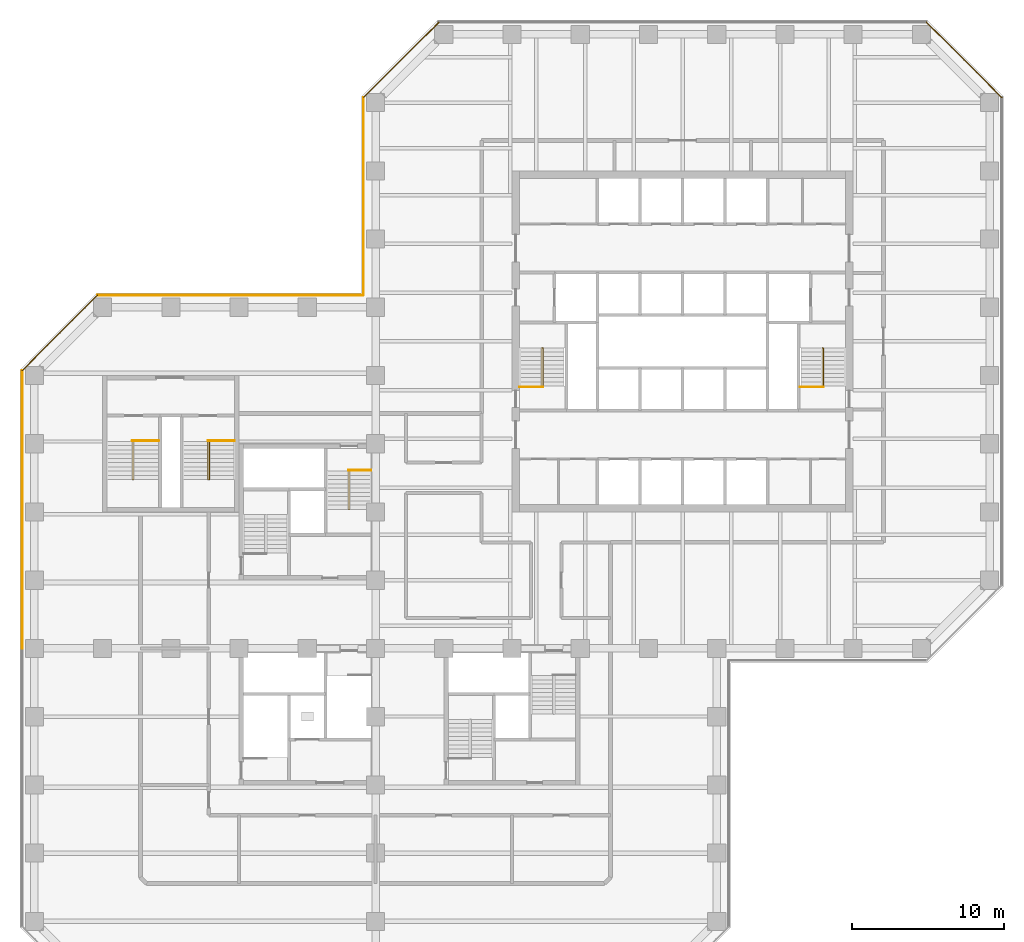
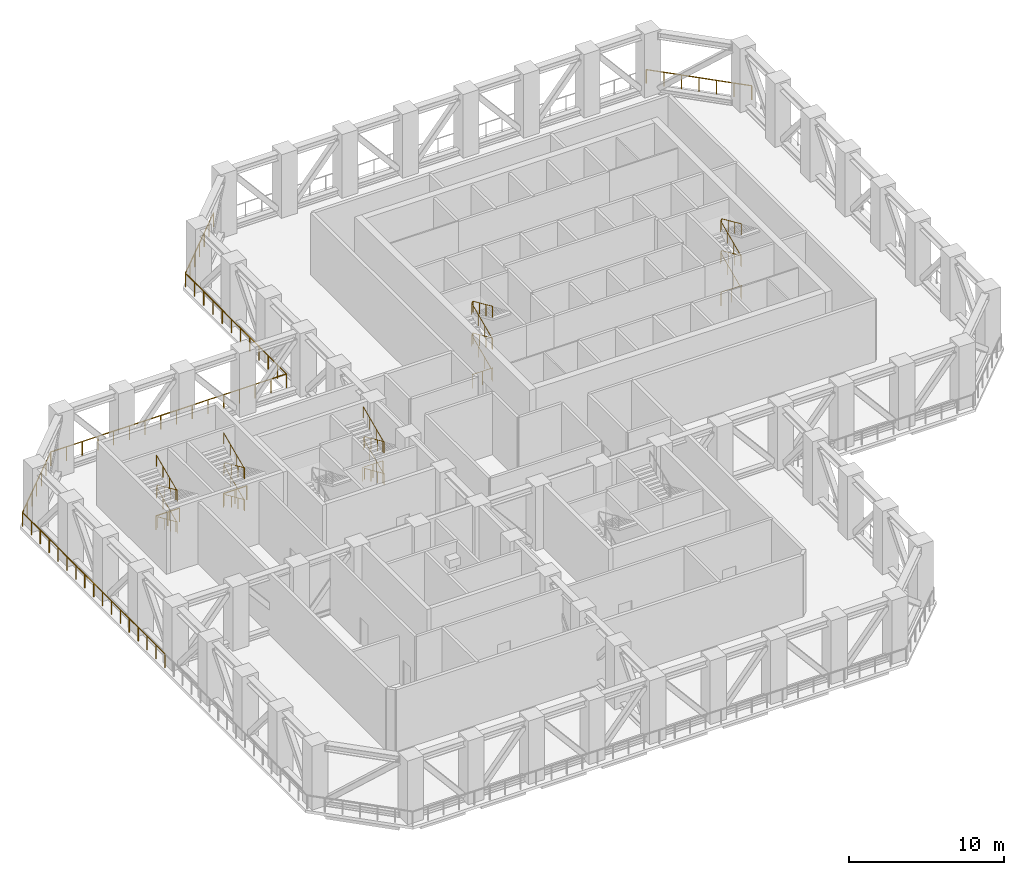
# One storey, part 15 of 16: 16 railings.
"""IFC4 building model written with IfcOpenShell, lengths in metres."""

from ifc_helpers import new_model, si_unit, direction, frame, origin, origin_2d, place, context, subcontext, project, spatial, circle, extrude, material, type_object, element, save


model = new_model("IFC4")

# Units and contexts
model_context = context("Model", 3, precision=1e-05, world=origin(), true_north=direction((0.0, 1.0)))
body_context = subcontext(model_context, "Body", "Model", "MODEL_VIEW")
ifc_project = project(units=[si_unit("LENGTHUNIT", "METRE"), si_unit("AREAUNIT", "SQUARE_METRE"), si_unit("VOLUMEUNIT", "CUBIC_METRE"), si_unit("PLANEANGLEUNIT", "RADIAN"), si_unit("MASSUNIT", "GRAM", prefix="KILO")], contexts=[model_context])

# Site, building, storey
site_placement = place(None, origin())
site = spatial("IfcSite", under=ifc_project, at=site_placement, CompositionType="ELEMENT")
building_placement = place(site_placement, origin())
building = spatial("IfcBuilding", under=site, at=building_placement, Name="Quoin Convention Tower", CompositionType="ELEMENT")
storey_placement = place(building_placement, frame((0.0, 0.0, 69.300048828125)))
storey = spatial("IfcBuildingStorey", under=building, at=storey_placement, Name="L18", CompositionType="ELEMENT", Elevation=69.300048828125)

# Railings
ifc_material = material(Name="Stainless steel", Category="steel")
railing_type_1 = type_object("IfcRailingType", Name="Guard 1100", PredefinedType="GUARDRAIL", material=ifc_material)
railing_1_placement = place(storey_placement, frame((77.300048828125, 76.831298828125, 0.0)))
element("IfcRailing", 1, at=railing_1_placement, inside=storey, type_object=railing_type_1, Name="grd-L18-76500_76500", PredefinedType="GUARDRAIL", context=body_context, shape_type="SweptSolid", body=[
    extrude(circle(Radius=0.02392578125, at=origin_2d()), frame((0.0, 0.0, 1.076171875), z_axis=(-0.707106781187, 0.707106781187, 0.0), x_axis=(-0.707106781187, -0.707106781187, 0.0)), (0.0, 0.0, 1.0), 7.02685546875),
    extrude(circle(Radius=0.02099609375, at=origin_2d()), origin(), (0.0, 0.0, 1.0), 1.052001953125),
    extrude(circle(Radius=0.02099609375, at=origin_2d()), frame((-0.828125, 0.828125, 0.0)), (0.0, 0.0, 1.0), 1.052001953125),
    extrude(circle(Radius=0.02099609375, at=origin_2d()), frame((-1.65625, 1.65625, 0.0)), (0.0, 0.0, 1.0), 1.052001953125),
    extrude(circle(Radius=0.02099609375, at=origin_2d()), frame((-2.484375, 2.484375, 0.0)), (0.0, 0.0, 1.0), 1.052001953125),
    extrude(circle(Radius=0.02099609375, at=origin_2d()), frame((-3.3125, 3.3125, 0.0)), (0.0, 0.0, 1.0), 1.052001953125),
    extrude(circle(Radius=0.02099609375, at=origin_2d()), frame((-4.140625, 4.140625, 0.0)), (0.0, 0.0, 1.0), 1.052001953125),
    extrude(circle(Radius=0.02099609375, at=origin_2d()), frame((-4.96875, 4.96875, 0.0)), (0.0, 0.0, 1.0), 1.052001953125),
])
railing_2_placement = place(storey_placement, frame((40.168701171875, 81.800048828125, 0.0)))
element("IfcRailing", 2, at=railing_2_placement, inside=storey, type_object=railing_type_1, Name="grd-L18-40500_81000", PredefinedType="GUARDRAIL", context=body_context, shape_type="SweptSolid", body=[
    extrude(circle(Radius=0.02392578125, at=origin_2d()), frame((0.0, 0.0, 1.076171875), z_axis=(-0.707106781187, -0.707106781187, 0.0), x_axis=(0.707106781187, -0.707106781187, 0.0)), (0.0, 0.0, 1.0), 7.02685546875),
    extrude(circle(Radius=0.02099609375, at=origin_2d()), origin(), (0.0, 0.0, 1.0), 1.052001953125),
    extrude(circle(Radius=0.02099609375, at=origin_2d()), frame((-0.828125, -0.828125, 0.0)), (0.0, 0.0, 1.0), 1.052001953125),
    extrude(circle(Radius=0.02099609375, at=origin_2d()), frame((-1.65625, -1.65625, 0.0)), (0.0, 0.0, 1.0), 1.052001953125),
    extrude(circle(Radius=0.02099609375, at=origin_2d()), frame((-2.484375, -2.484375, 0.0)), (0.0, 0.0, 1.0), 1.052001953125),
    extrude(circle(Radius=0.02099609375, at=origin_2d()), frame((-3.3125, -3.3125, 0.0)), (0.0, 0.0, 1.0), 1.052001953125),
    extrude(circle(Radius=0.02099609375, at=origin_2d()), frame((-4.140625, -4.140625, 0.0)), (0.0, 0.0, 1.0), 1.052001953125),
    extrude(circle(Radius=0.02099609375, at=origin_2d()), frame((-4.96875, -4.96875, 0.0)), (0.0, 0.0, 1.0), 1.052001953125),
])
railing_3_placement = place(storey_placement, frame((35.199951171875, 76.831298828125, 0.0)))
element("IfcRailing", 3, at=railing_3_placement, inside=storey, type_object=railing_type_1, Name="grd-L18-36000_76500", PredefinedType="GUARDRAIL", context=body_context, shape_type="SweptSolid", body=[
    extrude(circle(Radius=0.02392578125, at=origin_2d()), frame((0.0, 0.0, 1.076171875), z_axis=(0.0, -1.0, 0.0), x_axis=(1.0, 0.0, 0.0)), (0.0, 0.0, 1.0), 13.03125),
    extrude(circle(Radius=0.02099609375, at=origin_2d()), origin(), (0.0, 0.0, 1.0), 1.052001953125),
    extrude(circle(Radius=0.02099609375, at=origin_2d()), frame((0.0, -1.1845703125, 0.0)), (0.0, 0.0, 1.0), 1.052001953125),
    extrude(circle(Radius=0.02099609375, at=origin_2d()), frame((0.0, -2.369384765625, 0.0)), (0.0, 0.0, 1.0), 1.052001953125),
    extrude(circle(Radius=0.02099609375, at=origin_2d()), frame((0.0, -3.553955078125, 0.0)), (0.0, 0.0, 1.0), 1.052001953125),
    extrude(circle(Radius=0.02099609375, at=origin_2d()), frame((0.0, -4.738525390625, 0.0)), (0.0, 0.0, 1.0), 1.052001953125),
    extrude(circle(Radius=0.02099609375, at=origin_2d()), frame((0.0, -5.92333984375, 0.0)), (0.0, 0.0, 1.0), 1.052001953125),
    extrude(circle(Radius=0.02099609375, at=origin_2d()), frame((0.0, -7.10791015625, 0.0)), (0.0, 0.0, 1.0), 1.052001953125),
    extrude(circle(Radius=0.02099609375, at=origin_2d()), frame((0.0, -8.292724609375, 0.0)), (0.0, 0.0, 1.0), 1.052001953125),
    extrude(circle(Radius=0.02099609375, at=origin_2d()), frame((0.0, -9.477294921875, 0.0)), (0.0, 0.0, 1.0), 1.052001953125),
    extrude(circle(Radius=0.02099609375, at=origin_2d()), frame((0.0, -10.661865234375, 0.0)), (0.0, 0.0, 1.0), 1.052001953125),
    extrude(circle(Radius=0.02099609375, at=origin_2d()), frame((0.0, -11.8466796875, 0.0)), (0.0, 0.0, 1.0), 1.052001953125),
    extrude(circle(Radius=0.02099609375, at=origin_2d()), frame((0.0, -13.03125, 0.0)), (0.0, 0.0, 1.0), 1.052001953125),
])
railing_4_placement = place(storey_placement, frame((35.199951171875, 63.800048828125, 0.0)))
element("IfcRailing", 4, at=railing_4_placement, inside=storey, type_object=railing_type_1, Name="grd-L18-36000_63000", PredefinedType="GUARDRAIL", context=body_context, shape_type="SweptSolid", body=[
    extrude(circle(Radius=0.02392578125, at=origin_2d()), frame((0.0, 0.0, 1.076171875), z_axis=(-1.0, 0.0, 0.0), x_axis=(0.0, -1.0, 0.0)), (0.0, 0.0, 1.0), 17.53125),
    extrude(circle(Radius=0.02099609375, at=origin_2d()), origin(), (0.0, 0.0, 1.0), 1.052001953125),
    extrude(circle(Radius=0.02099609375, at=origin_2d()), frame((-1.168701171875, 0.0, 0.0)), (0.0, 0.0, 1.0), 1.052001953125),
    extrude(circle(Radius=0.02099609375, at=origin_2d()), frame((-2.33740234375, 0.0, 0.0)), (0.0, 0.0, 1.0), 1.052001953125),
    extrude(circle(Radius=0.02099609375, at=origin_2d()), frame((-3.50634765625, 0.0, 0.0)), (0.0, 0.0, 1.0), 1.052001953125),
    extrude(circle(Radius=0.02099609375, at=origin_2d()), frame((-4.675048828125, 0.0, 0.0)), (0.0, 0.0, 1.0), 1.052001953125),
    extrude(circle(Radius=0.02099609375, at=origin_2d()), frame((-5.84375, 0.0, 0.0)), (0.0, 0.0, 1.0), 1.052001953125),
    extrude(circle(Radius=0.02099609375, at=origin_2d()), frame((-7.012451171875, 0.0, 0.0)), (0.0, 0.0, 1.0), 1.052001953125),
    extrude(circle(Radius=0.02099609375, at=origin_2d()), frame((-8.18115234375, 0.0, 0.0)), (0.0, 0.0, 1.0), 1.052001953125),
    extrude(circle(Radius=0.02099609375, at=origin_2d()), frame((-9.35009765625, 0.0, 0.0)), (0.0, 0.0, 1.0), 1.052001953125),
    extrude(circle(Radius=0.02099609375, at=origin_2d()), frame((-10.518798828125, 0.0, 0.0)), (0.0, 0.0, 1.0), 1.052001953125),
    extrude(circle(Radius=0.02099609375, at=origin_2d()), frame((-11.6875, 0.0, 0.0)), (0.0, 0.0, 1.0), 1.052001953125),
    extrude(circle(Radius=0.02099609375, at=origin_2d()), frame((-12.856201171875, 0.0, 0.0)), (0.0, 0.0, 1.0), 1.052001953125),
    extrude(circle(Radius=0.02099609375, at=origin_2d()), frame((-14.02490234375, 0.0, 0.0)), (0.0, 0.0, 1.0), 1.052001953125),
    extrude(circle(Radius=0.02099609375, at=origin_2d()), frame((-15.19384765625, 0.0, 0.0)), (0.0, 0.0, 1.0), 1.052001953125),
    extrude(circle(Radius=0.02099609375, at=origin_2d()), frame((-16.362548828125, 0.0, 0.0)), (0.0, 0.0, 1.0), 1.052001953125),
    extrude(circle(Radius=0.02099609375, at=origin_2d()), frame((-17.53125, 0.0, 0.0)), (0.0, 0.0, 1.0), 1.052001953125),
])
railing_5_placement = place(storey_placement, frame((17.668701171875, 63.800048828125, 0.0)))
element("IfcRailing", 5, at=railing_5_placement, inside=storey, type_object=railing_type_1, Name="grd-L18-18000_63000", PredefinedType="GUARDRAIL", context=body_context, shape_type="SweptSolid", body=[
    extrude(circle(Radius=0.02392578125, at=origin_2d()), frame((0.0, 0.0, 1.076171875), z_axis=(-0.707106781187, -0.707106781187, 0.0), x_axis=(0.707106781187, -0.707106781187, 0.0)), (0.0, 0.0, 1.0), 7.02685546875),
    extrude(circle(Radius=0.02099609375, at=origin_2d()), origin(), (0.0, 0.0, 1.0), 1.052001953125),
    extrude(circle(Radius=0.02099609375, at=origin_2d()), frame((-0.828125, -0.828125, 0.0)), (0.0, 0.0, 1.0), 1.052001953125),
    extrude(circle(Radius=0.02099609375, at=origin_2d()), frame((-1.65625, -1.65625, 0.0)), (0.0, 0.0, 1.0), 1.052001953125),
    extrude(circle(Radius=0.02099609375, at=origin_2d()), frame((-2.484375, -2.484375, 0.0)), (0.0, 0.0, 1.0), 1.052001953125),
    extrude(circle(Radius=0.02099609375, at=origin_2d()), frame((-3.3125, -3.3125, 0.0)), (0.0, 0.0, 1.0), 1.052001953125),
    extrude(circle(Radius=0.02099609375, at=origin_2d()), frame((-4.140625, -4.140625, 0.0)), (0.0, 0.0, 1.0), 1.052001953125),
    extrude(circle(Radius=0.02099609375, at=origin_2d()), frame((-4.96875, -4.96875, 0.0)), (0.0, 0.0, 1.0), 1.052001953125),
])
railing_6_placement = place(storey_placement, frame((12.699951171875, 58.831298828125, 0.0)))
element("IfcRailing", 6, at=railing_6_placement, inside=storey, type_object=railing_type_1, Name="grd-L18-13500_58500", PredefinedType="GUARDRAIL", context=body_context, shape_type="SweptSolid", body=[
    extrude(circle(Radius=0.02392578125, at=origin_2d()), frame((0.0, 0.0, 1.076171875), z_axis=(0.0, -1.0, 0.0), x_axis=(1.0, 0.0, 0.0)), (0.0, 0.0, 1.0), 18.331298828125),
    extrude(circle(Radius=0.02099609375, at=origin_2d()), origin(), (0.0, 0.0, 1.0), 1.052001953125),
    extrude(circle(Radius=0.02099609375, at=origin_2d()), frame((0.0, -1.145751953125, 0.0)), (0.0, 0.0, 1.0), 1.052001953125),
    extrude(circle(Radius=0.02099609375, at=origin_2d()), frame((0.0, -2.29150390625, 0.0)), (0.0, 0.0, 1.0), 1.052001953125),
    extrude(circle(Radius=0.02099609375, at=origin_2d()), frame((0.0, -3.43701171875, 0.0)), (0.0, 0.0, 1.0), 1.052001953125),
    extrude(circle(Radius=0.02099609375, at=origin_2d()), frame((0.0, -4.582763671875, 0.0)), (0.0, 0.0, 1.0), 1.052001953125),
    extrude(circle(Radius=0.02099609375, at=origin_2d()), frame((0.0, -5.728515625, 0.0)), (0.0, 0.0, 1.0), 1.052001953125),
    extrude(circle(Radius=0.02099609375, at=origin_2d()), frame((0.0, -6.874267578125, 0.0)), (0.0, 0.0, 1.0), 1.052001953125),
    extrude(circle(Radius=0.02099609375, at=origin_2d()), frame((0.0, -8.02001953125, 0.0)), (0.0, 0.0, 1.0), 1.052001953125),
    extrude(circle(Radius=0.02099609375, at=origin_2d()), frame((0.0, -9.16552734375, 0.0)), (0.0, 0.0, 1.0), 1.052001953125),
    extrude(circle(Radius=0.02099609375, at=origin_2d()), frame((0.0, -10.311279296875, 0.0)), (0.0, 0.0, 1.0), 1.052001953125),
    extrude(circle(Radius=0.02099609375, at=origin_2d()), frame((0.0, -11.45703125, 0.0)), (0.0, 0.0, 1.0), 1.052001953125),
    extrude(circle(Radius=0.02099609375, at=origin_2d()), frame((0.0, -12.602783203125, 0.0)), (0.0, 0.0, 1.0), 1.052001953125),
    extrude(circle(Radius=0.02099609375, at=origin_2d()), frame((0.0, -13.74853515625, 0.0)), (0.0, 0.0, 1.0), 1.052001953125),
    extrude(circle(Radius=0.02099609375, at=origin_2d()), frame((0.0, -14.894287109375, 0.0)), (0.0, 0.0, 1.0), 1.052001953125),
    extrude(circle(Radius=0.02099609375, at=origin_2d()), frame((0.0, -16.039794921875, 0.0)), (0.0, 0.0, 1.0), 1.052001953125),
    extrude(circle(Radius=0.02099609375, at=origin_2d()), frame((0.0, -17.185546875, 0.0)), (0.0, 0.0, 1.0), 1.052001953125),
    extrude(circle(Radius=0.02099609375, at=origin_2d()), frame((0.0, -18.331298828125, 0.0)), (0.0, 0.0, 1.0), 1.052001953125),
])
railing_type_2 = type_object("IfcRailingType", Name="Stair handrail 900", PredefinedType="HANDRAIL", material=ifc_material)
railing_7_placement = place(storey_placement, frame((46.955078125, 57.800048828125, 0.125)))
element("IfcRailing", 7, at=railing_7_placement, inside=storey, type_object=railing_type_2, Name="SD1 handrail 1", PredefinedType="HANDRAIL", context=body_context, shape_type="SweptSolid", body=[
    extrude(circle(Radius=0.02392578125, at=origin_2d()), frame((0.0, 0.0, 0.8759765625), z_axis=(0.0, 0.913139058521, 0.407648205936), x_axis=(-1.0, 0.0, 0.0)), (0.0, 0.0, 1.0), 2.759765625),
    extrude(circle(Radius=0.02392578125, at=origin_2d()), frame((0.0, 2.52001953125, 2.0009765625), z_axis=(0.583636048153, 0.0, 0.812015371343), x_axis=(0.0, 1.0, 0.0)), (0.0, 0.0, 1.0), 0.154052734375),
    extrude(circle(Radius=0.02392578125, at=origin_2d()), frame((0.08984375, 2.52001953125, 2.1259765625), z_axis=(0.0, -0.913139058521, 0.407648205936), x_axis=(1.0, 0.0, 0.0)), (0.0, 0.0, 1.0), 2.759765625),
    extrude(circle(Radius=0.02392578125, at=origin_2d()), frame((0.08984375, 0.0, 3.2509765625), z_axis=(-0.583636048153, 0.0, 0.812015371343), x_axis=(0.0, -1.0, 0.0)), (0.0, 0.0, 1.0), 0.154052734375),
    extrude(circle(Radius=0.02392578125, at=origin_2d()), frame((0.0, 0.0, 3.3759765625), z_axis=(0.0, 0.913139058521, 0.407648205936), x_axis=(-1.0, 0.0, 0.0)), (0.0, 0.0, 1.0), 2.759765625),
    extrude(circle(Radius=0.02392578125, at=origin_2d()), frame((0.0, 2.52001953125, 4.5009765625), z_axis=(0.583636048153, 0.0, 0.812015371343), x_axis=(0.0, 1.0, 0.0)), (0.0, 0.0, 1.0), 0.154052734375),
    extrude(circle(Radius=0.02392578125, at=origin_2d()), frame((0.08984375, 2.52001953125, 4.6259765625), z_axis=(0.0, -0.913139058521, 0.407648205936), x_axis=(1.0, 0.0, 0.0)), (0.0, 0.0, 1.0), 2.759765625),
    extrude(circle(Radius=0.02099609375, at=origin_2d()), origin(), (0.0, 0.0, 1.0), 0.851806640625),
    extrude(circle(Radius=0.02099609375, at=origin_2d()), frame((0.0, 0.840087890625, 0.375)), (0.0, 0.0, 1.0), 0.851806640625),
    extrude(circle(Radius=0.02099609375, at=origin_2d()), frame((0.0, 1.679931640625, 0.75)), (0.0, 0.0, 1.0), 0.851806640625),
    extrude(circle(Radius=0.02099609375, at=origin_2d()), frame((0.0, 2.52001953125, 1.125)), (0.0, 0.0, 1.0), 0.851806640625),
    extrude(circle(Radius=0.02099609375, at=origin_2d()), frame((0.08984375, 2.52001953125, 1.25)), (0.0, 0.0, 1.0), 0.851806640625),
    extrude(circle(Radius=0.02099609375, at=origin_2d()), frame((0.08984375, 1.679931640625, 1.625)), (0.0, 0.0, 1.0), 0.851806640625),
    extrude(circle(Radius=0.02099609375, at=origin_2d()), frame((0.08984375, 0.840087890625, 2.0)), (0.0, 0.0, 1.0), 0.851806640625),
    extrude(circle(Radius=0.02099609375, at=origin_2d()), frame((0.08984375, 0.0, 2.375)), (0.0, 0.0, 1.0), 0.851806640625),
    extrude(circle(Radius=0.02099609375, at=origin_2d()), frame((0.0, 0.0, 2.5)), (0.0, 0.0, 1.0), 0.851806640625),
    extrude(circle(Radius=0.02099609375, at=origin_2d()), frame((0.0, 0.840087890625, 2.875)), (0.0, 0.0, 1.0), 0.851806640625),
    extrude(circle(Radius=0.02099609375, at=origin_2d()), frame((0.0, 1.679931640625, 3.25)), (0.0, 0.0, 1.0), 0.851806640625),
    extrude(circle(Radius=0.02099609375, at=origin_2d()), frame((0.0, 2.52001953125, 3.625)), (0.0, 0.0, 1.0), 0.851806640625),
    extrude(circle(Radius=0.02099609375, at=origin_2d()), frame((0.08984375, 2.52001953125, 3.75)), (0.0, 0.0, 1.0), 0.851806640625),
    extrude(circle(Radius=0.02099609375, at=origin_2d()), frame((0.08984375, 1.679931640625, 4.125)), (0.0, 0.0, 1.0), 0.851806640625),
    extrude(circle(Radius=0.02099609375, at=origin_2d()), frame((0.08984375, 0.840087890625, 4.5)), (0.0, 0.0, 1.0), 0.851806640625),
    extrude(circle(Radius=0.02099609375, at=origin_2d()), frame((0.08984375, 0.0, 4.875)), (0.0, 0.0, 1.0), 0.851806640625),
])
railing_8_placement = place(storey_placement, frame((65.455078125, 57.800048828125, 0.125)))
element("IfcRailing", 8, at=railing_8_placement, inside=storey, type_object=railing_type_2, Name="SD2 handrail 1", PredefinedType="HANDRAIL", context=body_context, shape_type="SweptSolid", body=[
    extrude(circle(Radius=0.02392578125, at=origin_2d()), frame((0.0, 0.0, 0.8759765625), z_axis=(0.0, 0.913139058521, 0.407648205936), x_axis=(-1.0, 0.0, 0.0)), (0.0, 0.0, 1.0), 2.759765625),
    extrude(circle(Radius=0.02392578125, at=origin_2d()), frame((0.0, 2.52001953125, 2.0009765625), z_axis=(0.583636048153, 0.0, 0.812015371343), x_axis=(0.0, 1.0, 0.0)), (0.0, 0.0, 1.0), 0.154052734375),
    extrude(circle(Radius=0.02392578125, at=origin_2d()), frame((0.08984375, 2.52001953125, 2.1259765625), z_axis=(0.0, -0.913139058521, 0.407648205936), x_axis=(1.0, 0.0, 0.0)), (0.0, 0.0, 1.0), 2.759765625),
    extrude(circle(Radius=0.02392578125, at=origin_2d()), frame((0.08984375, 0.0, 3.2509765625), z_axis=(-0.583636048153, 0.0, 0.812015371343), x_axis=(0.0, -1.0, 0.0)), (0.0, 0.0, 1.0), 0.154052734375),
    extrude(circle(Radius=0.02392578125, at=origin_2d()), frame((0.0, 0.0, 3.3759765625), z_axis=(0.0, 0.913139058521, 0.407648205936), x_axis=(-1.0, 0.0, 0.0)), (0.0, 0.0, 1.0), 2.759765625),
    extrude(circle(Radius=0.02392578125, at=origin_2d()), frame((0.0, 2.52001953125, 4.5009765625), z_axis=(0.583636048153, 0.0, 0.812015371343), x_axis=(0.0, 1.0, 0.0)), (0.0, 0.0, 1.0), 0.154052734375),
    extrude(circle(Radius=0.02392578125, at=origin_2d()), frame((0.08984375, 2.52001953125, 4.6259765625), z_axis=(0.0, -0.913139058521, 0.407648205936), x_axis=(1.0, 0.0, 0.0)), (0.0, 0.0, 1.0), 2.759765625),
    extrude(circle(Radius=0.02099609375, at=origin_2d()), origin(), (0.0, 0.0, 1.0), 0.851806640625),
    extrude(circle(Radius=0.02099609375, at=origin_2d()), frame((0.0, 0.840087890625, 0.375)), (0.0, 0.0, 1.0), 0.851806640625),
    extrude(circle(Radius=0.02099609375, at=origin_2d()), frame((0.0, 1.679931640625, 0.75)), (0.0, 0.0, 1.0), 0.851806640625),
    extrude(circle(Radius=0.02099609375, at=origin_2d()), frame((0.0, 2.52001953125, 1.125)), (0.0, 0.0, 1.0), 0.851806640625),
    extrude(circle(Radius=0.02099609375, at=origin_2d()), frame((0.08984375, 2.52001953125, 1.25)), (0.0, 0.0, 1.0), 0.851806640625),
    extrude(circle(Radius=0.02099609375, at=origin_2d()), frame((0.08984375, 1.679931640625, 1.625)), (0.0, 0.0, 1.0), 0.851806640625),
    extrude(circle(Radius=0.02099609375, at=origin_2d()), frame((0.08984375, 0.840087890625, 2.0)), (0.0, 0.0, 1.0), 0.851806640625),
    extrude(circle(Radius=0.02099609375, at=origin_2d()), frame((0.08984375, 0.0, 2.375)), (0.0, 0.0, 1.0), 0.851806640625),
    extrude(circle(Radius=0.02099609375, at=origin_2d()), frame((0.0, 0.0, 2.5)), (0.0, 0.0, 1.0), 0.851806640625),
    extrude(circle(Radius=0.02099609375, at=origin_2d()), frame((0.0, 0.840087890625, 2.875)), (0.0, 0.0, 1.0), 0.851806640625),
    extrude(circle(Radius=0.02099609375, at=origin_2d()), frame((0.0, 1.679931640625, 3.25)), (0.0, 0.0, 1.0), 0.851806640625),
    extrude(circle(Radius=0.02099609375, at=origin_2d()), frame((0.0, 2.52001953125, 3.625)), (0.0, 0.0, 1.0), 0.851806640625),
    extrude(circle(Radius=0.02099609375, at=origin_2d()), frame((0.08984375, 2.52001953125, 3.75)), (0.0, 0.0, 1.0), 0.851806640625),
    extrude(circle(Radius=0.02099609375, at=origin_2d()), frame((0.08984375, 1.679931640625, 4.125)), (0.0, 0.0, 1.0), 0.851806640625),
    extrude(circle(Radius=0.02099609375, at=origin_2d()), frame((0.08984375, 0.840087890625, 4.5)), (0.0, 0.0, 1.0), 0.851806640625),
    extrude(circle(Radius=0.02099609375, at=origin_2d()), frame((0.08984375, 0.0, 4.875)), (0.0, 0.0, 1.0), 0.851806640625),
])
railing_9_placement = place(storey_placement, frame((34.294921875, 52.199951171875, 0.125)))
element("IfcRailing", 9, at=railing_9_placement, inside=storey, type_object=railing_type_2, Name="SD4 handrail 1", PredefinedType="HANDRAIL", context=body_context, shape_type="SweptSolid", body=[
    extrude(circle(Radius=0.02392578125, at=origin_2d()), frame((0.0, 0.0, 0.8759765625), z_axis=(0.0, -0.913139058521, 0.407648205936), x_axis=(1.0, 0.0, 0.0)), (0.0, 0.0, 1.0), 2.759765625),
    extrude(circle(Radius=0.02392578125, at=origin_2d()), frame((0.0, -2.52001953125, 2.0009765625), z_axis=(-0.583636048153, 0.0, 0.812015371343), x_axis=(0.0, -1.0, 0.0)), (0.0, 0.0, 1.0), 0.154052734375),
    extrude(circle(Radius=0.02392578125, at=origin_2d()), frame((-0.08984375, -2.52001953125, 2.1259765625), z_axis=(0.0, 0.913139058521, 0.407648205936), x_axis=(-1.0, 0.0, 0.0)), (0.0, 0.0, 1.0), 2.759765625),
    extrude(circle(Radius=0.02392578125, at=origin_2d()), frame((-0.08984375, 0.0, 3.2509765625), z_axis=(0.583636048153, 0.0, 0.812015371343), x_axis=(0.0, 1.0, 0.0)), (0.0, 0.0, 1.0), 0.154052734375),
    extrude(circle(Radius=0.02392578125, at=origin_2d()), frame((0.0, 0.0, 3.3759765625), z_axis=(0.0, -0.913139058521, 0.407648205936), x_axis=(1.0, 0.0, 0.0)), (0.0, 0.0, 1.0), 2.759765625),
    extrude(circle(Radius=0.02392578125, at=origin_2d()), frame((0.0, -2.52001953125, 4.5009765625), z_axis=(-0.583636048153, 0.0, 0.812015371343), x_axis=(0.0, -1.0, 0.0)), (0.0, 0.0, 1.0), 0.154052734375),
    extrude(circle(Radius=0.02392578125, at=origin_2d()), frame((-0.08984375, -2.52001953125, 4.6259765625), z_axis=(0.0, 0.913139058521, 0.407648205936), x_axis=(-1.0, 0.0, 0.0)), (0.0, 0.0, 1.0), 2.759765625),
    extrude(circle(Radius=0.02099609375, at=origin_2d()), origin(), (0.0, 0.0, 1.0), 0.851806640625),
    extrude(circle(Radius=0.02099609375, at=origin_2d()), frame((0.0, -0.840087890625, 0.375)), (0.0, 0.0, 1.0), 0.851806640625),
    extrude(circle(Radius=0.02099609375, at=origin_2d()), frame((0.0, -1.679931640625, 0.75)), (0.0, 0.0, 1.0), 0.851806640625),
    extrude(circle(Radius=0.02099609375, at=origin_2d()), frame((0.0, -2.52001953125, 1.125)), (0.0, 0.0, 1.0), 0.851806640625),
    extrude(circle(Radius=0.02099609375, at=origin_2d()), frame((-0.08984375, -2.52001953125, 1.25)), (0.0, 0.0, 1.0), 0.851806640625),
    extrude(circle(Radius=0.02099609375, at=origin_2d()), frame((-0.08984375, -1.679931640625, 1.625)), (0.0, 0.0, 1.0), 0.851806640625),
    extrude(circle(Radius=0.02099609375, at=origin_2d()), frame((-0.08984375, -0.840087890625, 2.0)), (0.0, 0.0, 1.0), 0.851806640625),
    extrude(circle(Radius=0.02099609375, at=origin_2d()), frame((-0.08984375, 0.0, 2.375)), (0.0, 0.0, 1.0), 0.851806640625),
    extrude(circle(Radius=0.02099609375, at=origin_2d()), frame((0.0, 0.0, 2.5)), (0.0, 0.0, 1.0), 0.851806640625),
    extrude(circle(Radius=0.02099609375, at=origin_2d()), frame((0.0, -0.840087890625, 2.875)), (0.0, 0.0, 1.0), 0.851806640625),
    extrude(circle(Radius=0.02099609375, at=origin_2d()), frame((0.0, -1.679931640625, 3.25)), (0.0, 0.0, 1.0), 0.851806640625),
    extrude(circle(Radius=0.02099609375, at=origin_2d()), frame((0.0, -2.52001953125, 3.625)), (0.0, 0.0, 1.0), 0.851806640625),
    extrude(circle(Radius=0.02099609375, at=origin_2d()), frame((-0.08984375, -2.52001953125, 3.75)), (0.0, 0.0, 1.0), 0.851806640625),
    extrude(circle(Radius=0.02099609375, at=origin_2d()), frame((-0.08984375, -1.679931640625, 4.125)), (0.0, 0.0, 1.0), 0.851806640625),
    extrude(circle(Radius=0.02099609375, at=origin_2d()), frame((-0.08984375, -0.840087890625, 4.5)), (0.0, 0.0, 1.0), 0.851806640625),
    extrude(circle(Radius=0.02099609375, at=origin_2d()), frame((-0.08984375, 0.0, 4.875)), (0.0, 0.0, 1.0), 0.851806640625),
])
railing_10_placement = place(storey_placement, frame((20.044921875, 54.14990234375, 0.125)))
element("IfcRailing", 10, at=railing_10_placement, inside=storey, type_object=railing_type_2, Name="SD11 handrail 1", PredefinedType="HANDRAIL", context=body_context, shape_type="SweptSolid", body=[
    extrude(circle(Radius=0.02392578125, at=origin_2d()), frame((0.0, 0.0, 0.8759765625), z_axis=(0.0, -0.913139058521, 0.407648205936), x_axis=(1.0, 0.0, 0.0)), (0.0, 0.0, 1.0), 2.759765625),
    extrude(circle(Radius=0.02392578125, at=origin_2d()), frame((0.0, -2.52001953125, 2.0009765625), z_axis=(-0.583636048153, 0.0, 0.812015371343), x_axis=(0.0, -1.0, 0.0)), (0.0, 0.0, 1.0), 0.154052734375),
    extrude(circle(Radius=0.02392578125, at=origin_2d()), frame((-0.08984375, -2.52001953125, 2.1259765625), z_axis=(0.0, 0.913139058521, 0.407648205936), x_axis=(-1.0, 0.0, 0.0)), (0.0, 0.0, 1.0), 2.759765625),
    extrude(circle(Radius=0.02392578125, at=origin_2d()), frame((-0.08984375, 0.0, 3.2509765625), z_axis=(0.583636048153, 0.0, 0.812015371343), x_axis=(0.0, 1.0, 0.0)), (0.0, 0.0, 1.0), 0.154052734375),
    extrude(circle(Radius=0.02392578125, at=origin_2d()), frame((0.0, 0.0, 3.3759765625), z_axis=(0.0, -0.913139058521, 0.407648205936), x_axis=(1.0, 0.0, 0.0)), (0.0, 0.0, 1.0), 2.759765625),
    extrude(circle(Radius=0.02392578125, at=origin_2d()), frame((0.0, -2.52001953125, 4.5009765625), z_axis=(-0.583636048153, 0.0, 0.812015371343), x_axis=(0.0, -1.0, 0.0)), (0.0, 0.0, 1.0), 0.154052734375),
    extrude(circle(Radius=0.02392578125, at=origin_2d()), frame((-0.08984375, -2.52001953125, 4.6259765625), z_axis=(0.0, 0.913139058521, 0.407648205936), x_axis=(-1.0, 0.0, 0.0)), (0.0, 0.0, 1.0), 2.759765625),
    extrude(circle(Radius=0.02099609375, at=origin_2d()), origin(), (0.0, 0.0, 1.0), 0.851806640625),
    extrude(circle(Radius=0.02099609375, at=origin_2d()), frame((0.0, -0.840087890625, 0.375)), (0.0, 0.0, 1.0), 0.851806640625),
    extrude(circle(Radius=0.02099609375, at=origin_2d()), frame((0.0, -1.679931640625, 0.75)), (0.0, 0.0, 1.0), 0.851806640625),
    extrude(circle(Radius=0.02099609375, at=origin_2d()), frame((0.0, -2.52001953125, 1.125)), (0.0, 0.0, 1.0), 0.851806640625),
    extrude(circle(Radius=0.02099609375, at=origin_2d()), frame((-0.08984375, -2.52001953125, 1.25)), (0.0, 0.0, 1.0), 0.851806640625),
    extrude(circle(Radius=0.02099609375, at=origin_2d()), frame((-0.08984375, -1.679931640625, 1.625)), (0.0, 0.0, 1.0), 0.851806640625),
    extrude(circle(Radius=0.02099609375, at=origin_2d()), frame((-0.08984375, -0.840087890625, 2.0)), (0.0, 0.0, 1.0), 0.851806640625),
    extrude(circle(Radius=0.02099609375, at=origin_2d()), frame((-0.08984375, 0.0, 2.375)), (0.0, 0.0, 1.0), 0.851806640625),
    extrude(circle(Radius=0.02099609375, at=origin_2d()), frame((0.0, 0.0, 2.5)), (0.0, 0.0, 1.0), 0.851806640625),
    extrude(circle(Radius=0.02099609375, at=origin_2d()), frame((0.0, -0.840087890625, 2.875)), (0.0, 0.0, 1.0), 0.851806640625),
    extrude(circle(Radius=0.02099609375, at=origin_2d()), frame((0.0, -1.679931640625, 3.25)), (0.0, 0.0, 1.0), 0.851806640625),
    extrude(circle(Radius=0.02099609375, at=origin_2d()), frame((0.0, -2.52001953125, 3.625)), (0.0, 0.0, 1.0), 0.851806640625),
    extrude(circle(Radius=0.02099609375, at=origin_2d()), frame((-0.08984375, -2.52001953125, 3.75)), (0.0, 0.0, 1.0), 0.851806640625),
    extrude(circle(Radius=0.02099609375, at=origin_2d()), frame((-0.08984375, -1.679931640625, 4.125)), (0.0, 0.0, 1.0), 0.851806640625),
    extrude(circle(Radius=0.02099609375, at=origin_2d()), frame((-0.08984375, -0.840087890625, 4.5)), (0.0, 0.0, 1.0), 0.851806640625),
    extrude(circle(Radius=0.02099609375, at=origin_2d()), frame((-0.08984375, 0.0, 4.875)), (0.0, 0.0, 1.0), 0.851806640625),
])
railing_11_placement = place(storey_placement, frame((25.044921875, 54.14990234375, 0.125)))
element("IfcRailing", 11, at=railing_11_placement, inside=storey, type_object=railing_type_2, Name="SD12 handrail 1", PredefinedType="HANDRAIL", context=body_context, shape_type="SweptSolid", body=[
    extrude(circle(Radius=0.02392578125, at=origin_2d()), frame((0.0, 0.0, 0.8759765625), z_axis=(0.0, -0.913139058521, 0.407648205936), x_axis=(1.0, 0.0, 0.0)), (0.0, 0.0, 1.0), 2.759765625),
    extrude(circle(Radius=0.02392578125, at=origin_2d()), frame((0.0, -2.52001953125, 2.0009765625), z_axis=(-0.583636048153, 0.0, 0.812015371343), x_axis=(0.0, -1.0, 0.0)), (0.0, 0.0, 1.0), 0.154052734375),
    extrude(circle(Radius=0.02392578125, at=origin_2d()), frame((-0.08984375, -2.52001953125, 2.1259765625), z_axis=(0.0, 0.913139058521, 0.407648205936), x_axis=(-1.0, 0.0, 0.0)), (0.0, 0.0, 1.0), 2.759765625),
    extrude(circle(Radius=0.02392578125, at=origin_2d()), frame((-0.08984375, 0.0, 3.2509765625), z_axis=(0.583636048153, 0.0, 0.812015371343), x_axis=(0.0, 1.0, 0.0)), (0.0, 0.0, 1.0), 0.154052734375),
    extrude(circle(Radius=0.02392578125, at=origin_2d()), frame((0.0, 0.0, 3.3759765625), z_axis=(0.0, -0.913139058521, 0.407648205936), x_axis=(1.0, 0.0, 0.0)), (0.0, 0.0, 1.0), 2.759765625),
    extrude(circle(Radius=0.02392578125, at=origin_2d()), frame((0.0, -2.52001953125, 4.5009765625), z_axis=(-0.583636048153, 0.0, 0.812015371343), x_axis=(0.0, -1.0, 0.0)), (0.0, 0.0, 1.0), 0.154052734375),
    extrude(circle(Radius=0.02392578125, at=origin_2d()), frame((-0.08984375, -2.52001953125, 4.6259765625), z_axis=(0.0, 0.913139058521, 0.407648205936), x_axis=(-1.0, 0.0, 0.0)), (0.0, 0.0, 1.0), 2.759765625),
    extrude(circle(Radius=0.02099609375, at=origin_2d()), origin(), (0.0, 0.0, 1.0), 0.851806640625),
    extrude(circle(Radius=0.02099609375, at=origin_2d()), frame((0.0, -0.840087890625, 0.375)), (0.0, 0.0, 1.0), 0.851806640625),
    extrude(circle(Radius=0.02099609375, at=origin_2d()), frame((0.0, -1.679931640625, 0.75)), (0.0, 0.0, 1.0), 0.851806640625),
    extrude(circle(Radius=0.02099609375, at=origin_2d()), frame((0.0, -2.52001953125, 1.125)), (0.0, 0.0, 1.0), 0.851806640625),
    extrude(circle(Radius=0.02099609375, at=origin_2d()), frame((-0.08984375, -2.52001953125, 1.25)), (0.0, 0.0, 1.0), 0.851806640625),
    extrude(circle(Radius=0.02099609375, at=origin_2d()), frame((-0.08984375, -1.679931640625, 1.625)), (0.0, 0.0, 1.0), 0.851806640625),
    extrude(circle(Radius=0.02099609375, at=origin_2d()), frame((-0.08984375, -0.840087890625, 2.0)), (0.0, 0.0, 1.0), 0.851806640625),
    extrude(circle(Radius=0.02099609375, at=origin_2d()), frame((-0.08984375, 0.0, 2.375)), (0.0, 0.0, 1.0), 0.851806640625),
    extrude(circle(Radius=0.02099609375, at=origin_2d()), frame((0.0, 0.0, 2.5)), (0.0, 0.0, 1.0), 0.851806640625),
    extrude(circle(Radius=0.02099609375, at=origin_2d()), frame((0.0, -0.840087890625, 2.875)), (0.0, 0.0, 1.0), 0.851806640625),
    extrude(circle(Radius=0.02099609375, at=origin_2d()), frame((0.0, -1.679931640625, 3.25)), (0.0, 0.0, 1.0), 0.851806640625),
    extrude(circle(Radius=0.02099609375, at=origin_2d()), frame((0.0, -2.52001953125, 3.625)), (0.0, 0.0, 1.0), 0.851806640625),
    extrude(circle(Radius=0.02099609375, at=origin_2d()), frame((-0.08984375, -2.52001953125, 3.75)), (0.0, 0.0, 1.0), 0.851806640625),
    extrude(circle(Radius=0.02099609375, at=origin_2d()), frame((-0.08984375, -1.679931640625, 4.125)), (0.0, 0.0, 1.0), 0.851806640625),
    extrude(circle(Radius=0.02099609375, at=origin_2d()), frame((-0.08984375, -0.840087890625, 4.5)), (0.0, 0.0, 1.0), 0.851806640625),
    extrude(circle(Radius=0.02099609375, at=origin_2d()), frame((-0.08984375, 0.0, 4.875)), (0.0, 0.0, 1.0), 0.851806640625),
])
railing_type_3 = type_object("IfcRailingType", Name="Stair top guard 1100", PredefinedType="GUARDRAIL", material=ifc_material)
for number, where, name in (
    (12, (45.5, 57.75, 0.0), "SD1 top guard"),
    (13, (64.0, 57.75, 0.0), "SD2 top guard"),
):
    element("IfcRailing", number, at=place(storey_placement, frame(where)), inside=storey, type_object=railing_type_3, Name=name, PredefinedType="GUARDRAIL", context=body_context, shape_type="SweptSolid", body=[
        extrude(circle(Radius=0.02392578125, at=origin_2d()), frame((0.0, 0.0, 1.076171875), z_axis=(1.0, 0.0, 0.0), x_axis=(0.0, 1.0, 0.0)), (0.0, 0.0, 1.0), 1.544921875),
        extrude(circle(Radius=0.02099609375, at=origin_2d()), origin(), (0.0, 0.0, 1.0), 1.052001953125),
        extrude(circle(Radius=0.02099609375, at=origin_2d()), frame((0.7724609375, 0.0, 0.0)), (0.0, 0.0, 1.0), 1.052001953125),
        extrude(circle(Radius=0.02099609375, at=origin_2d()), frame((1.544921875, 0.0, 0.0)), (0.0, 0.0, 1.0), 1.052001953125),
    ])
railing_12_placement = place(storey_placement, frame((35.699951171875, 52.25, 0.0)))
element("IfcRailing", 14, at=railing_12_placement, inside=storey, type_object=railing_type_3, Name="SD4 top guard", PredefinedType="GUARDRAIL", context=body_context, shape_type="SweptSolid", body=[
    extrude(circle(Radius=0.02392578125, at=origin_2d()), frame((0.0, 0.0, 1.076171875), z_axis=(-1.0, 0.0, 0.0), x_axis=(0.0, -1.0, 0.0)), (0.0, 0.0, 1.0), 1.494873046875),
    extrude(circle(Radius=0.02099609375, at=origin_2d()), origin(), (0.0, 0.0, 1.0), 1.052001953125),
    extrude(circle(Radius=0.02099609375, at=origin_2d()), frame((-0.74755859375, 0.0, 0.0)), (0.0, 0.0, 1.0), 1.052001953125),
    extrude(circle(Radius=0.02099609375, at=origin_2d()), frame((-1.494873046875, 0.0, 0.0)), (0.0, 0.0, 1.0), 1.052001953125),
])
for number, where, name in (
    (15, (21.699951171875, 54.199951171875, 0.0), "SD11 top guard"),
    (16, (26.699951171875, 54.199951171875, 0.0), "SD12 top guard"),
):
    element("IfcRailing", number, at=place(storey_placement, frame(where)), inside=storey, type_object=railing_type_3, Name=name, PredefinedType="GUARDRAIL", context=body_context, shape_type="SweptSolid", body=[
        extrude(circle(Radius=0.02392578125, at=origin_2d()), frame((0.0, 0.0, 1.076171875), z_axis=(-1.0, 0.0, 0.0), x_axis=(0.0, -1.0, 0.0)), (0.0, 0.0, 1.0), 1.744873046875),
        extrude(circle(Radius=0.02099609375, at=origin_2d()), origin(), (0.0, 0.0, 1.0), 1.052001953125),
        extrude(circle(Radius=0.02099609375, at=origin_2d()), frame((-0.87255859375, 0.0, 0.0)), (0.0, 0.0, 1.0), 1.052001953125),
        extrude(circle(Radius=0.02099609375, at=origin_2d()), frame((-1.744873046875, 0.0, 0.0)), (0.0, 0.0, 1.0), 1.052001953125),
    ])

save(model, "model.ifc")
